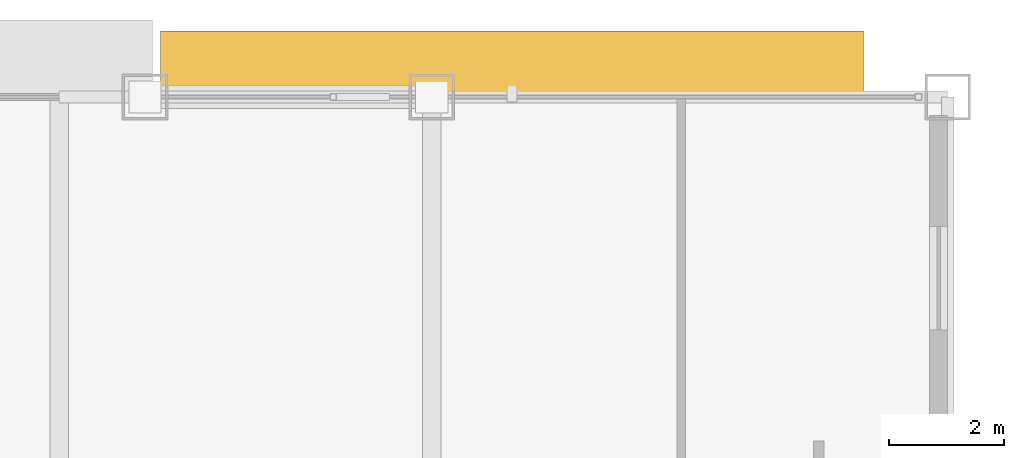
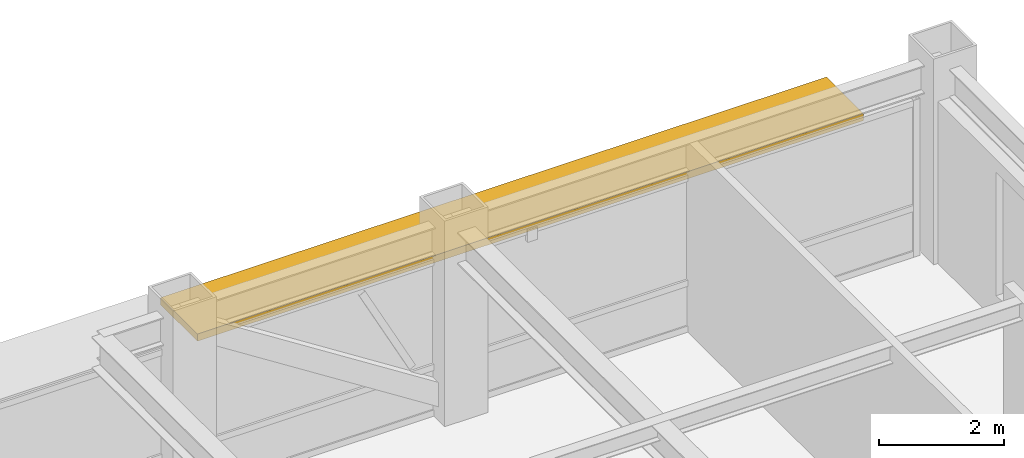
# One storey, part 32 of 32: 1 shading device.
"""IFC4 building model written with IfcOpenShell, lengths in metres."""

from ifc_helpers import new_model, si_unit, direction, frame, origin, origin_2d, place, context, subcontext, project, spatial, rectangle, extrude, source, transform, mapped, material, layer, layer_set, type_object, element, save


model = new_model("IFC4")

# Units and contexts
model_context = context("Model", 3, precision=1e-05, world=origin(), true_north=direction((0.0, 1.0)))
body_context = subcontext(model_context, "Body", "Model", "MODEL_VIEW")
ifc_project = project(units=[si_unit("LENGTHUNIT", "METRE"), si_unit("AREAUNIT", "SQUARE_METRE"), si_unit("VOLUMEUNIT", "CUBIC_METRE"), si_unit("PLANEANGLEUNIT", "RADIAN"), si_unit("MASSUNIT", "GRAM", prefix="KILO")], contexts=[model_context])

# Site, building, storey
site_placement = place(None, origin())
site = spatial("IfcSite", under=ifc_project, at=site_placement, CompositionType="ELEMENT")
building_placement = place(site_placement, origin())
building = spatial("IfcBuilding", under=site, at=building_placement, Name="Khorayat Bourse Tower", CompositionType="ELEMENT")
storey_placement = place(building_placement, frame((0.0, 0.0, 342.300048828125)))
storey = spatial("IfcBuildingStorey", under=building, at=storey_placement, Name="L81", CompositionType="ELEMENT", Elevation=342.300048828125)

# Shading device
ifc_material = material(Name="Precast concrete C45/55", Category="concrete")
ifc_layer = layer(ifc_material, 0.139892578125)
ifc_layer_set = layer_set([ifc_layer], Name="Precast concrete C45/55")
shading_device_type = type_object("IfcShadingDeviceType", Name="SHD-WAVE-TRAY-B", PredefinedType="USERDEFINED", material=ifc_layer_set)
shared_shape = source(origin(), body_context, "Body", "SweptSolid", [
    extrude(rectangle(XDim=12.260009765625, YDim=1.173095703125, at=origin_2d()), origin(), (0.0, 0.0, 1.0), 0.139892578125),
])
shading_device_placement = place(storey_placement, frame((12.39990234375, 26.566650390625, 2.9501953125), z_axis=(0.0, 0.0, 1.0), x_axis=(1.0, 0.0, 0.0)))
element("IfcShadingDevice", 1, at=shading_device_placement, inside=storey, type_object=shading_device_type, Name="L81 Sinusoidal Wave Sunshade Tray N-3", ObjectType="SUNSHADE", PredefinedType="USERDEFINED", context=body_context, shape_type="MappedRepresentation", body=[
    mapped(shared_shape, transform((0.0, 0.0, 0.0), scale=1.0)),
])

save(model, "model.ifc")
